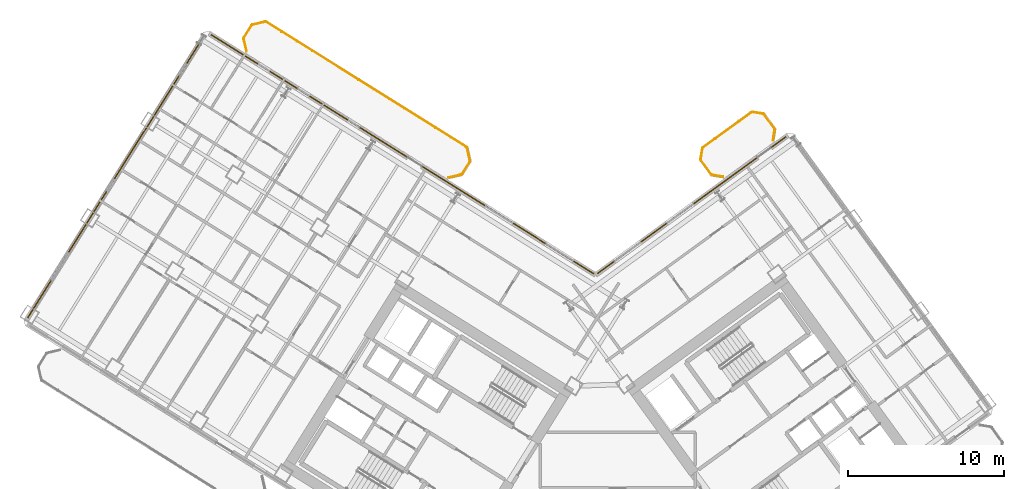
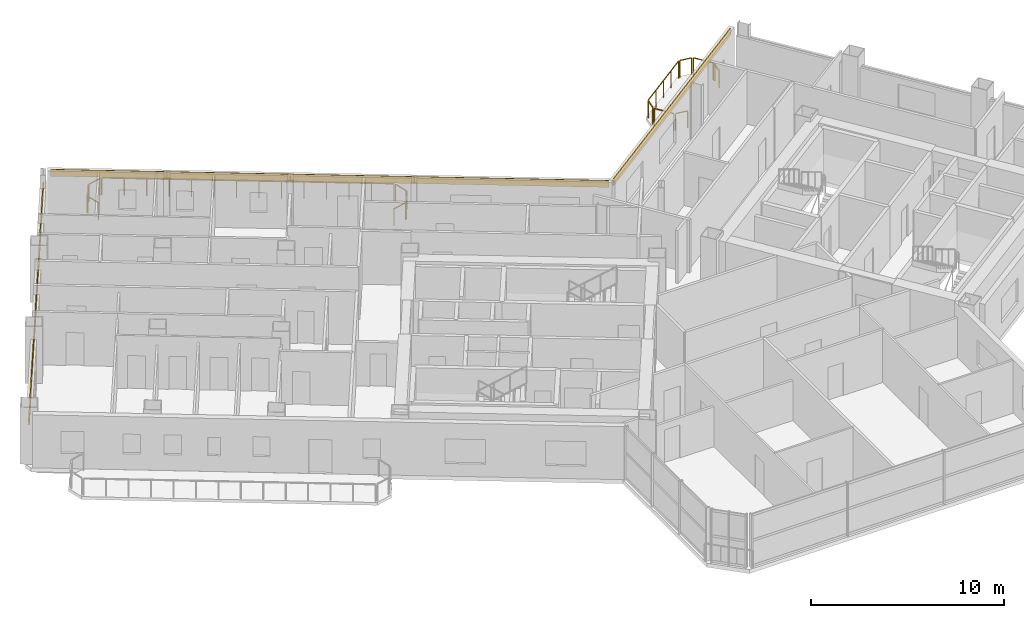
# One storey, part 21 of 21: 14 railings, 3 coverings.
"""IFC4 building model written with IfcOpenShell, lengths in metres."""

from ifc_helpers import new_model, si_unit, direction, frame, origin, origin_2d, place, context, subcontext, project, spatial, rectangle, extrude, source, transform, mapped, material, layer, layer_set, type_object, element, save


model = new_model("IFC4")

# Units and contexts
model_context = context("Model", 3, precision=1e-05, world=origin(), true_north=direction((0.0, 1.0)))
body_context = subcontext(model_context, "Body", "Model", "MODEL_VIEW")
ifc_project = project(units=[si_unit("LENGTHUNIT", "METRE"), si_unit("AREAUNIT", "SQUARE_METRE"), si_unit("VOLUMEUNIT", "CUBIC_METRE"), si_unit("PLANEANGLEUNIT", "RADIAN"), si_unit("MASSUNIT", "GRAM", prefix="KILO")], contexts=[model_context])

# Site, building, storey
site_placement = place(None, origin())
site = spatial("IfcSite", under=ifc_project, at=site_placement, CompositionType="ELEMENT")
building_placement = place(site_placement, origin())
building = spatial("IfcBuilding", under=site, at=building_placement, Name="Tlacorven Tower", CompositionType="ELEMENT")
storey_placement = place(building_placement, frame((0.0, 0.0, 90.0)))
storey = spatial("IfcBuildingStorey", under=building, at=storey_placement, Name="L22", CompositionType="ELEMENT", Elevation=90.0)

# Railings
ifc_material_1 = material(Name="Aluminium and painted steel balustrade", Category="steel")
railing_type = type_object("IfcRailingType", Name="RL-BAL-1100", PredefinedType="BALUSTRADE", material=ifc_material_1)
shared_shape_1 = source(origin(), body_context, "Body", "SweptSolid", [
    extrude(rectangle(XDim=0.048095703125, YDim=0.048095703125, at=origin_2d()), frame((0.0, 0.0, 1.076171875), z_axis=(0.974345290916, 0.225058334816, 0.0), x_axis=(-0.225058334816, 0.974345290916, 0.0)), (0.0, 0.0, 1.0), 0.80712890625),
    extrude(rectangle(XDim=0.0419921875, YDim=0.0419921875, at=origin_2d()), origin(), (0.0, 0.0, 1.0), 1.052001953125),
    extrude(rectangle(XDim=0.0419921875, YDim=0.0419921875, at=origin_2d()), frame((0.786376953125, 0.181640625, 0.0)), (0.0, 0.0, 1.0), 1.052001953125),
])
railing_1_placement = place(storey_placement, frame((20.2138671875, 47.643798828125, 0.0)))
element("IfcRailing", 1, at=railing_1_placement, inside=storey, type_object=railing_type, Name="BAL-L22-W-IN Guard Railing 6", PredefinedType="BALUSTRADE", context=body_context, shape_type="MappedRepresentation", body=[
    mapped(shared_shape_1, transform((0.0, 0.0, 0.0), scale=1.0)),
])
shared_shape_2 = source(origin(), body_context, "Body", "SweptSolid", [
    extrude(rectangle(XDim=0.048095703125, YDim=0.048095703125, at=origin_2d()), frame((0.0, 0.0, 1.076171875), z_axis=(-0.987661653326, 0.156602868908, 0.0), x_axis=(-0.156602868908, -0.987661653326, 0.0)), (0.0, 0.0, 1.0), 0.665771484375),
    extrude(rectangle(XDim=0.0419921875, YDim=0.0419921875, at=origin_2d()), origin(), (0.0, 0.0, 1.0), 1.052001953125),
    extrude(rectangle(XDim=0.0419921875, YDim=0.0419921875, at=origin_2d()), frame((-0.657470703125, 0.104248046875, 0.0)), (0.0, 0.0, 1.0), 1.052001953125),
])
railing_2_placement = place(storey_placement, frame((50.359130859375, 37.891845703125, 0.0)))
element("IfcRailing", 2, at=railing_2_placement, inside=storey, type_object=railing_type, Name="BAL-L22-E-IN Guard Railing 1", PredefinedType="BALUSTRADE", context=body_context, shape_type="MappedRepresentation", body=[
    mapped(shared_shape_2, transform((0.0, 0.0, 0.0), scale=1.0)),
])
shared_shape_3 = source(origin(), body_context, "Body", "SweptSolid", [
    extrude(rectangle(XDim=0.048095703125, YDim=0.048095703125, at=origin_2d()), frame((0.0, 0.0, 1.076171875), z_axis=(0.156602868908, 0.987661653326, 0.0), x_axis=(-0.987661653326, 0.156602868908, 0.0)), (0.0, 0.0, 1.0), 0.665771484375),
    extrude(rectangle(XDim=0.0419921875, YDim=0.0419921875, at=origin_2d()), origin(), (0.0, 0.0, 1.0), 1.052001953125),
    extrude(rectangle(XDim=0.0419921875, YDim=0.0419921875, at=origin_2d()), frame((0.104248046875, 0.657470703125, 0.0)), (0.0, 0.0, 1.0), 1.052001953125),
])
railing_3_placement = place(storey_placement, frame((48.947509765625, 39.033935546875, 0.0)))
element("IfcRailing", 3, at=railing_3_placement, inside=storey, type_object=railing_type, Name="BAL-L22-E-IN Guard Railing 3", PredefinedType="BALUSTRADE", context=body_context, shape_type="MappedRepresentation", body=[
    mapped(shared_shape_3, transform((0.0, 0.0, 0.0), scale=1.0)),
])
shared_shape_4 = source(origin(), body_context, "Body", "SweptSolid", [
    extrude(rectangle(XDim=0.048095703125, YDim=0.048095703125, at=origin_2d()), frame((0.0, 0.0, 1.076171875), z_axis=(-0.156245081039, -0.987718317463, 0.0), x_axis=(0.987718317463, -0.156245081039, 0.0)), (0.0, 0.0, 1.0), 0.66552734375),
    extrude(rectangle(XDim=0.0419921875, YDim=0.0419921875, at=origin_2d()), origin(), (0.0, 0.0, 1.0), 1.052001953125),
    extrude(rectangle(XDim=0.0419921875, YDim=0.0419921875, at=origin_2d()), frame((-0.10400390625, -0.657470703125, 0.0)), (0.0, 0.0, 1.0), 1.052001953125),
])
railing_4_placement = place(storey_placement, frame((53.689453125, 40.893310546875, 0.0)))
element("IfcRailing", 4, at=railing_4_placement, inside=storey, type_object=railing_type, Name="BAL-L22-E-IN Guard Railing 7", PredefinedType="BALUSTRADE", context=body_context, shape_type="MappedRepresentation", body=[
    mapped(shared_shape_4, transform((0.0, 0.0, 0.0), scale=1.0)),
])

# Covering
ifc_material_2 = material(Name="Precast concrete C45/55", Category="concrete")
ifc_layer = layer(ifc_material_2, 0.06005859375)
ifc_layer_set = layer_set([ifc_layer], Name="Precast concrete C45/55")
covering_type = type_object("IfcCoveringType", Name="CV-CLD-TERC", PredefinedType="CLADDING", material=ifc_layer_set)
shared_shape_5 = source(origin(), body_context, "Body", "SweptSolid", [
    extrude(rectangle(XDim=21.287353515625, YDim=0.06005859375, at=origin_2d()), origin(), (0.0, 0.0, 1.0), 0.419921875),
])
covering_1_placement = place(storey_placement, frame((11.419677734375, 37.864013671875, 2.35498046875), z_axis=(0.0, 0.0, 1.0), x_axis=(0.529919147866, 0.848048168871, 0.0)))
element("IfcCovering", 5, at=covering_1_placement, inside=storey, type_object=covering_type, Name="L22 Masonry-Frame Spandrel Cladding 2", PredefinedType="CLADDING", context=body_context, shape_type="MappedRepresentation", body=[
    mapped(shared_shape_5, transform((0.0, 0.0, 0.0), scale=1.0)),
])

# Railings
shared_shape_6 = source(origin(), body_context, "Body", "SweptSolid", [
    extrude(rectangle(XDim=0.048095703125, YDim=0.048095703125, at=origin_2d()), frame((0.0, 0.0, 1.076171875), z_axis=(0.529998940003, 0.847998304005, 0.0), x_axis=(-0.847998304005, 0.529998940003, 0.0)), (0.0, 0.0, 1.0), 0.912109375),
    extrude(rectangle(XDim=0.0419921875, YDim=0.0419921875, at=origin_2d()), origin(), (0.0, 0.0, 1.0), 1.052001953125),
    extrude(rectangle(XDim=0.0419921875, YDim=0.0419921875, at=origin_2d()), frame((0.4833984375, 0.7734375, 0.0)), (0.0, 0.0, 1.0), 1.052001953125),
])
railing_5_placement = place(storey_placement, frame((19.6552734375, 46.816650390625, 0.0)))
element("IfcRailing", 6, at=railing_5_placement, inside=storey, type_object=railing_type, Name="BAL-L22-W-IN Guard Railing 5", PredefinedType="BALUSTRADE", context=body_context, shape_type="MappedRepresentation", body=[
    mapped(shared_shape_6, transform((0.0, 0.0, 0.0), scale=1.0)),
])
shared_shape_7 = source(origin(), body_context, "Body", "SweptSolid", [
    extrude(rectangle(XDim=0.048095703125, YDim=0.048095703125, at=origin_2d()), frame((0.0, 0.0, 1.076171875), z_axis=(0.224992020761, -0.974360606036, 0.0), x_axis=(0.974360606036, 0.224992020761, 0.0)), (0.0, 0.0, 1.0), 0.807373046875),
    extrude(rectangle(XDim=0.0419921875, YDim=0.0419921875, at=origin_2d()), origin(), (0.0, 0.0, 1.0), 1.052001953125),
    extrude(rectangle(XDim=0.0419921875, YDim=0.0419921875, at=origin_2d()), frame((0.181640625, -0.78662109375, 0.0)), (0.0, 0.0, 1.0), 1.052001953125),
])
railing_6_placement = place(storey_placement, frame((33.965087890625, 39.72412109375, 0.0)))
element("IfcRailing", 7, at=railing_6_placement, inside=storey, type_object=railing_type, Name="BAL-L22-W-IN Guard Railing 1", PredefinedType="BALUSTRADE", context=body_context, shape_type="MappedRepresentation", body=[
    mapped(shared_shape_7, transform((0.0, 0.0, 0.0), scale=1.0)),
])
shared_shape_8 = source(origin(), body_context, "Body", "SweptSolid", [
    extrude(rectangle(XDim=0.048095703125, YDim=0.048095703125, at=origin_2d()), frame((0.0, 0.0, 1.076171875), z_axis=(-0.529998940003, -0.847998304005, 0.0), x_axis=(0.847998304005, -0.529998940003, 0.0)), (0.0, 0.0, 1.0), 0.912109375),
    extrude(rectangle(XDim=0.0419921875, YDim=0.0419921875, at=origin_2d()), origin(), (0.0, 0.0, 1.0), 1.052001953125),
    extrude(rectangle(XDim=0.0419921875, YDim=0.0419921875, at=origin_2d()), frame((-0.4833984375, -0.7734375, 0.0)), (0.0, 0.0, 1.0), 1.052001953125),
])
railing_7_placement = place(storey_placement, frame((34.131591796875, 38.846435546875, 0.0)))
element("IfcRailing", 8, at=railing_7_placement, inside=storey, type_object=railing_type, Name="BAL-L22-W-IN Guard Railing 2", PredefinedType="BALUSTRADE", context=body_context, shape_type="MappedRepresentation", body=[
    mapped(shared_shape_8, transform((0.0, 0.0, 0.0), scale=1.0)),
])
shared_shape_9 = source(origin(), body_context, "Body", "SweptSolid", [
    extrude(rectangle(XDim=0.048095703125, YDim=0.048095703125, at=origin_2d()), frame((0.0, 0.0, 1.076171875), z_axis=(-0.974360606036, -0.224992020761, 0.0), x_axis=(0.224992020761, -0.974360606036, 0.0)), (0.0, 0.0, 1.0), 0.807373046875),
    extrude(rectangle(XDim=0.0419921875, YDim=0.0419921875, at=origin_2d()), origin(), (0.0, 0.0, 1.0), 1.052001953125),
    extrude(rectangle(XDim=0.0419921875, YDim=0.0419921875, at=origin_2d()), frame((-0.78662109375, -0.181640625, 0.0)), (0.0, 0.0, 1.0), 1.052001953125),
])
railing_8_placement = place(storey_placement, frame((33.572998046875, 38.019287109375, 0.0)))
element("IfcRailing", 9, at=railing_8_placement, inside=storey, type_object=railing_type, Name="BAL-L22-W-IN Guard Railing 3", PredefinedType="BALUSTRADE", context=body_context, shape_type="MappedRepresentation", body=[
    mapped(shared_shape_9, transform((0.0, 0.0, 0.0), scale=1.0)),
])
shared_shape_10 = source(origin(), body_context, "Body", "SweptSolid", [
    extrude(rectangle(XDim=0.048095703125, YDim=0.048095703125, at=origin_2d()), frame((0.0, 0.0, 1.076171875), z_axis=(-0.22470489119, 0.974426863277, 0.0), x_axis=(-0.974426863277, -0.22470489119, 0.0)), (0.0, 0.0, 1.0), 0.807373046875),
    extrude(rectangle(XDim=0.0419921875, YDim=0.0419921875, at=origin_2d()), origin(), (0.0, 0.0, 1.0), 1.052001953125),
    extrude(rectangle(XDim=0.0419921875, YDim=0.0419921875, at=origin_2d()), frame((-0.181396484375, 0.78662109375, 0.0)), (0.0, 0.0, 1.0), 1.052001953125),
])
railing_9_placement = place(storey_placement, frame((19.821533203125, 45.93896484375, 0.0)))
element("IfcRailing", 10, at=railing_9_placement, inside=storey, type_object=railing_type, Name="BAL-L22-W-IN Guard Railing 4", PredefinedType="BALUSTRADE", context=body_context, shape_type="MappedRepresentation", body=[
    mapped(shared_shape_10, transform((0.0, 0.0, 0.0), scale=1.0)),
])
shared_shape_11 = source(origin(), body_context, "Body", "SweptSolid", [
    extrude(rectangle(XDim=0.048095703125, YDim=0.048095703125, at=origin_2d()), frame((0.0, 0.0, 1.076171875), z_axis=(0.848051830527, -0.529913287944, 0.0), x_axis=(0.529913287944, 0.848051830527, 0.0)), (0.0, 0.0, 1.0), 15.1171875),
    extrude(rectangle(XDim=0.0419921875, YDim=0.0419921875, at=origin_2d()), origin(), (0.0, 0.0, 1.0), 1.052001953125),
    extrude(rectangle(XDim=0.0419921875, YDim=0.0419921875, at=origin_2d()), frame((0.986083984375, -0.6162109375, 0.0)), (0.0, 0.0, 1.0), 1.052001953125),
    extrude(rectangle(XDim=0.0419921875, YDim=0.0419921875, at=origin_2d()), frame((1.972412109375, -1.232421875, 0.0)), (0.0, 0.0, 1.0), 1.052001953125),
    extrude(rectangle(XDim=0.0419921875, YDim=0.0419921875, at=origin_2d()), frame((2.95849609375, -1.8486328125, 0.0)), (0.0, 0.0, 1.0), 1.052001953125),
    extrude(rectangle(XDim=0.0419921875, YDim=0.0419921875, at=origin_2d()), frame((3.944580078125, -2.46484375, 0.0)), (0.0, 0.0, 1.0), 1.052001953125),
    extrude(rectangle(XDim=0.0419921875, YDim=0.0419921875, at=origin_2d()), frame((4.930908203125, -3.0810546875, 0.0)), (0.0, 0.0, 1.0), 1.052001953125),
    extrude(rectangle(XDim=0.0419921875, YDim=0.0419921875, at=origin_2d()), frame((5.9169921875, -3.697265625, 0.0)), (0.0, 0.0, 1.0), 1.052001953125),
    extrude(rectangle(XDim=0.0419921875, YDim=0.0419921875, at=origin_2d()), frame((6.903076171875, -4.3134765625, 0.0)), (0.0, 0.0, 1.0), 1.052001953125),
    extrude(rectangle(XDim=0.0419921875, YDim=0.0419921875, at=origin_2d()), frame((7.88916015625, -4.9296875, 0.0)), (0.0, 0.0, 1.0), 1.052001953125),
    extrude(rectangle(XDim=0.0419921875, YDim=0.0419921875, at=origin_2d()), frame((8.87548828125, -5.5458984375, 0.0)), (0.0, 0.0, 1.0), 1.052001953125),
    extrude(rectangle(XDim=0.0419921875, YDim=0.0419921875, at=origin_2d()), frame((9.861572265625, -6.162109375, 0.0)), (0.0, 0.0, 1.0), 1.052001953125),
    extrude(rectangle(XDim=0.0419921875, YDim=0.0419921875, at=origin_2d()), frame((10.84765625, -6.7783203125, 0.0)), (0.0, 0.0, 1.0), 1.052001953125),
    extrude(rectangle(XDim=0.0419921875, YDim=0.0419921875, at=origin_2d()), frame((11.833984375, -7.39453125, 0.0)), (0.0, 0.0, 1.0), 1.052001953125),
    extrude(rectangle(XDim=0.0419921875, YDim=0.0419921875, at=origin_2d()), frame((12.820068359375, -8.0107421875, 0.0)), (0.0, 0.0, 1.0), 1.052001953125),
])
railing_10_placement = place(storey_placement, frame((21.091552734375, 47.81005859375, 0.0)))
element("IfcRailing", 11, at=railing_10_placement, inside=storey, type_object=railing_type, Name="BAL-L22-W-IN Guard Railing 7", PredefinedType="BALUSTRADE", context=body_context, shape_type="MappedRepresentation", body=[
    mapped(shared_shape_11, transform((0.0, 0.0, 0.0), scale=1.0)),
])
shared_shape_12 = source(origin(), body_context, "Body", "SweptSolid", [
    extrude(rectangle(XDim=0.048095703125, YDim=0.048095703125, at=origin_2d()), frame((0.0, 0.0, 1.076171875), z_axis=(-0.587636431696, 0.809125097957, 0.0), x_axis=(-0.809125097957, -0.587636431696, 0.0)), (0.0, 0.0, 1.0), 1.1123046875),
    extrude(rectangle(XDim=0.0419921875, YDim=0.0419921875, at=origin_2d()), origin(), (0.0, 0.0, 1.0), 1.052001953125),
    extrude(rectangle(XDim=0.0419921875, YDim=0.0419921875, at=origin_2d()), frame((-0.653564453125, 0.89990234375, 0.0)), (0.0, 0.0, 1.0), 1.052001953125),
])
railing_11_placement = place(storey_placement, frame((49.622802734375, 38.044189453125, 0.0)))
element("IfcRailing", 12, at=railing_11_placement, inside=storey, type_object=railing_type, Name="BAL-L22-E-IN Guard Railing 2", PredefinedType="BALUSTRADE", context=body_context, shape_type="MappedRepresentation", body=[
    mapped(shared_shape_12, transform((0.0, 0.0, 0.0), scale=1.0)),
])
shared_shape_13 = source(origin(), body_context, "Body", "SweptSolid", [
    extrude(rectangle(XDim=0.048095703125, YDim=0.048095703125, at=origin_2d()), frame((0.0, 0.0, 1.076171875), z_axis=(0.809018102573, 0.587783726986, 0.0), x_axis=(-0.587783726986, 0.809018102573, 0.0)), (0.0, 0.0, 1.0), 3.817138671875),
    extrude(rectangle(XDim=0.0419921875, YDim=0.0419921875, at=origin_2d()), origin(), (0.0, 0.0, 1.0), 1.052001953125),
    extrude(rectangle(XDim=0.0419921875, YDim=0.0419921875, at=origin_2d()), frame((0.77197265625, 0.56103515625, 0.0)), (0.0, 0.0, 1.0), 1.052001953125),
    extrude(rectangle(XDim=0.0419921875, YDim=0.0419921875, at=origin_2d()), frame((1.5439453125, 1.121826171875, 0.0)), (0.0, 0.0, 1.0), 1.052001953125),
    extrude(rectangle(XDim=0.0419921875, YDim=0.0419921875, at=origin_2d()), frame((2.316162109375, 1.6826171875, 0.0)), (0.0, 0.0, 1.0), 1.052001953125),
    extrude(rectangle(XDim=0.0419921875, YDim=0.0419921875, at=origin_2d()), frame((3.088134765625, 2.24365234375, 0.0)), (0.0, 0.0, 1.0), 1.052001953125),
])
railing_12_placement = place(storey_placement, frame((49.10009765625, 39.77001953125, 0.0)))
element("IfcRailing", 13, at=railing_12_placement, inside=storey, type_object=railing_type, Name="BAL-L22-E-IN Guard Railing 4", PredefinedType="BALUSTRADE", context=body_context, shape_type="MappedRepresentation", body=[
    mapped(shared_shape_13, transform((0.0, 0.0, 0.0), scale=1.0)),
])
shared_shape_14 = source(origin(), body_context, "Body", "SweptSolid", [
    extrude(rectangle(XDim=0.048095703125, YDim=0.048095703125, at=origin_2d()), frame((0.0, 0.0, 1.076171875), z_axis=(0.987661653326, -0.156602868908, 0.0), x_axis=(0.156602868908, 0.987661653326, 0.0)), (0.0, 0.0, 1.0), 0.665771484375),
    extrude(rectangle(XDim=0.0419921875, YDim=0.0419921875, at=origin_2d()), origin(), (0.0, 0.0, 1.0), 1.052001953125),
    extrude(rectangle(XDim=0.0419921875, YDim=0.0419921875, at=origin_2d()), frame((0.657470703125, -0.104248046875, 0.0)), (0.0, 0.0, 1.0), 1.052001953125),
])
railing_13_placement = place(storey_placement, frame((52.278076171875, 42.035400390625, 0.0)))
element("IfcRailing", 14, at=railing_13_placement, inside=storey, type_object=railing_type, Name="BAL-L22-E-IN Guard Railing 5", PredefinedType="BALUSTRADE", context=body_context, shape_type="MappedRepresentation", body=[
    mapped(shared_shape_14, transform((0.0, 0.0, 0.0), scale=1.0)),
])
shared_shape_15 = source(origin(), body_context, "Body", "SweptSolid", [
    extrude(rectangle(XDim=0.048095703125, YDim=0.048095703125, at=origin_2d()), frame((0.0, 0.0, 1.076171875), z_axis=(0.587780115446, -0.809020726488, 0.0), x_axis=(0.809020726488, 0.587780115446, 0.0)), (0.0, 0.0, 1.0), 1.1123046875),
    extrude(rectangle(XDim=0.0419921875, YDim=0.0419921875, at=origin_2d()), origin(), (0.0, 0.0, 1.0), 1.052001953125),
    extrude(rectangle(XDim=0.0419921875, YDim=0.0419921875, at=origin_2d()), frame((0.65380859375, -0.89990234375, 0.0)), (0.0, 0.0, 1.0), 1.052001953125),
])
railing_14_placement = place(storey_placement, frame((53.01416015625, 41.883056640625, 0.0)))
element("IfcRailing", 15, at=railing_14_placement, inside=storey, type_object=railing_type, Name="BAL-L22-E-IN Guard Railing 6", PredefinedType="BALUSTRADE", context=body_context, shape_type="MappedRepresentation", body=[
    mapped(shared_shape_15, transform((0.0, 0.0, 0.0), scale=1.0)),
])

# Coverings
shared_shape_16 = source(origin(), body_context, "Body", "SweptSolid", [
    extrude(rectangle(XDim=28.923095703125, YDim=0.06005859375, at=origin_2d()), origin(), (0.0, 0.0, 1.0), 0.419921875),
])
covering_2_placement = place(storey_placement, frame((29.815185546875, 39.34033203125, 2.929931640625), z_axis=(0.0, 0.0, 1.0), x_axis=(0.848048220257, -0.52991906563, 0.0)))
element("IfcCovering", 16, at=covering_2_placement, inside=storey, type_object=covering_type, Name="L22 Masonry-Frame Spandrel Cladding 3", PredefinedType="CLADDING", context=body_context, shape_type="MappedRepresentation", body=[
    mapped(shared_shape_16, transform((0.0, 0.0, 0.0), scale=1.0)),
])
shared_shape_17 = source(origin(), body_context, "Body", "SweptSolid", [
    extrude(rectangle(XDim=14.923095703125, YDim=0.06005859375, at=origin_2d()), origin(), (0.0, 0.0, 1.0), 0.419921875),
])
covering_3_placement = place(storey_placement, frame((48.3642578125, 36.0712890625, 2.929931640625), z_axis=(0.0, 0.0, 1.0), x_axis=(0.809016703631, 0.587785652468, 0.0)))
element("IfcCovering", 17, at=covering_3_placement, inside=storey, type_object=covering_type, Name="L22 Masonry-Frame Spandrel Cladding 4", PredefinedType="CLADDING", context=body_context, shape_type="MappedRepresentation", body=[
    mapped(shared_shape_17, transform((0.0, 0.0, 0.0), scale=1.0)),
])

save(model, "model.ifc")
